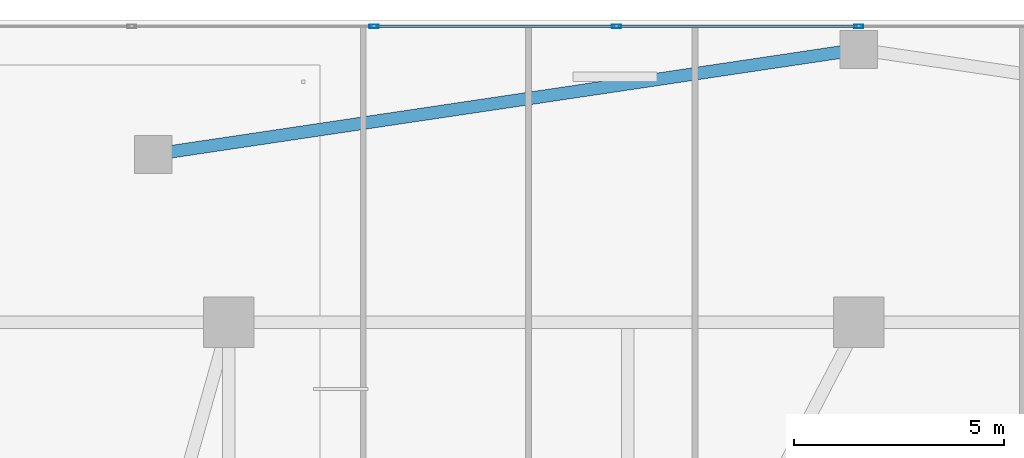
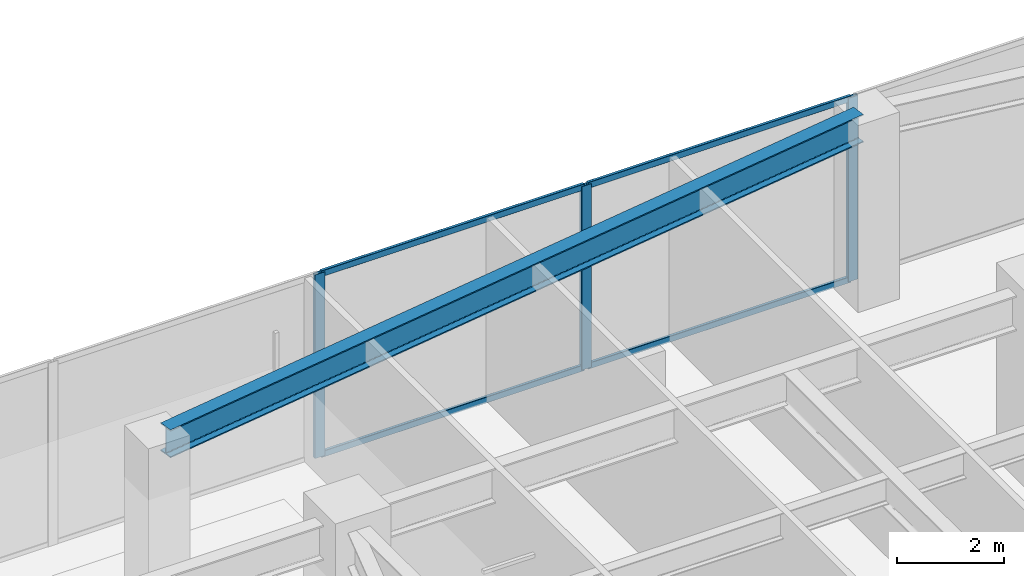
# One storey, part 4 of 22: 7 members, 1 beam, 1 element without a shape of its own.
"""IFC4 building model written with IfcOpenShell, lengths in metres."""

from ifc_helpers import new_model, si_unit, direction, frame, origin, origin_2d, place, context, subcontext, project, spatial, hollow_rectangle, i_section, extrude, material, layer, layer_set, material_profile, profile_set, type_object, element, aggregate, save


model = new_model("IFC4")

# Units and contexts
model_context = context("Model", 3, precision=1e-05, world=origin(), true_north=direction((0.0, 1.0)))
body_context = subcontext(model_context, "Body", "Model", "MODEL_VIEW")
ifc_project = project(units=[si_unit("LENGTHUNIT", "METRE"), si_unit("AREAUNIT", "SQUARE_METRE"), si_unit("VOLUMEUNIT", "CUBIC_METRE"), si_unit("PLANEANGLEUNIT", "RADIAN"), si_unit("MASSUNIT", "GRAM", prefix="KILO")], contexts=[model_context])

# Site, building, storey
site_placement = place(None, origin())
site = spatial("IfcSite", under=ifc_project, at=site_placement, CompositionType="ELEMENT")
building_placement = place(site_placement, origin())
building = spatial("IfcBuilding", under=site, at=building_placement, Name="Tarnavaz Court Tower", CompositionType="ELEMENT")
storey_placement = place(building_placement, frame((0.0, 0.0, 14.39990234375)))
storey = spatial("IfcBuildingStorey", under=building, at=storey_placement, Name="L03", CompositionType="ELEMENT", Elevation=14.39990234375)

# Beam
ifc_material_1 = material(Name="Steel S355", Category="steel")
ifc_material_profile_1 = material_profile(ifc_material_1, i_section(OverallWidth=0.300048828125, OverallDepth=0.639892578125, WebThickness=0.013427734375, FlangeThickness=0.02587890625, FilletRadius=0.027099609375, at=origin_2d()), Name="HEA 650")
ifc_profile_set_1 = profile_set([ifc_material_profile_1], Name="Steel S355")
beam_type = type_object("IfcBeamType", Name="BM-SP-HEA650", PredefinedType="SPANDREL", material=ifc_profile_set_1)
beam_placement = place(storey_placement, frame((-16.602294921875, 26.829345703125, 3.960205078125), z_axis=(0.989108332922, 0.147189353368, 0.0), x_axis=(-0.147189353368, 0.989108332922, 0.0)))
element("IfcBeam", 1, at=beam_placement, inside=storey, type_object=beam_type, Name="L03 Beam PR-POD-N1-POD-N2", PredefinedType="SPANDREL", context=body_context, shape_type="SweptSolid", body=[
    extrude(i_section(OverallWidth=0.300048828125, OverallDepth=0.639892578125, WebThickness=0.013427734375, FlangeThickness=0.02587890625, FilletRadius=0.027099609375, at=origin_2d()), origin(), (0.0, 0.0, 1.0), 16.585205078125),
])

# Curtain wall, members
ifc_material_2 = material(Name="Anodised Aluminium 6063-T6 and Solar Low-E Glazing", Category="aluminium")
ifc_layer = layer(ifc_material_2, 0.18994140625)
ifc_layer_set = layer_set([ifc_layer], Name="Anodised Aluminium 6063-T6 and Solar Low-E Glazing")
curtain_wall_type = type_object("IfcCurtainWallType", Name="CW-SYS-01", PredefinedType="NOTDEFINED", material=ifc_layer_set)
curtain_wall_placement = place(storey_placement, origin())
curtain_wall = element("IfcCurtainWall", 2, at=curtain_wall_placement, inside=storey, type_object=curtain_wall_type, Name="L03 Clinic Podium Curtain Wall 1", PredefinedType="NOTDEFINED")
ifc_material_3 = material(Name="Anodised Aluminium 6063-T6", Category="aluminium")
ifc_material_profile_2 = material_profile(ifc_material_3, hollow_rectangle(XDim=0.0849609375, YDim=0.219970703125, WallThickness=0.006103515625, InnerFilletRadius=0.006103515625, OuterFilletRadius=0.011962890625, at=origin_2d()), Name="ALU RHS 220X85X6")
ifc_profile_set_2 = profile_set([ifc_material_profile_2], Name="Anodised Aluminium 6063-T6")
member_type_1 = type_object("IfcMemberType", Name="CW-MUL-220", PredefinedType="MULLION", material=ifc_profile_set_2)
member_1_placement = place(storey_placement, frame((-11.5400390625, 29.85009765625, 0.0), z_axis=(0.0, 0.0, 1.0), x_axis=(0.0, 1.0, 0.0)))
member_1 = element("IfcMember", 3, at=member_1_placement, type_object=member_type_1, Name="CW mullion 4", PredefinedType="MULLION", context=body_context, shape_type="SweptSolid", body=[
    extrude(hollow_rectangle(XDim=0.0849609375, YDim=0.219970703125, WallThickness=0.006103515625, InnerFilletRadius=0.006103515625, OuterFilletRadius=0.011962890625, at=origin_2d()), origin(), (0.0, 0.0, 1.0), 4.2001953125),
])
member_2_placement = place(storey_placement, frame((-5.77001953125, 29.85009765625, 0.0), z_axis=(0.0, 0.0, 1.0), x_axis=(0.0, 1.0, 0.0)))
member_2 = element("IfcMember", 4, at=member_2_placement, type_object=member_type_1, Name="CW mullion 5", PredefinedType="MULLION", context=body_context, shape_type="SweptSolid", body=[
    extrude(hollow_rectangle(XDim=0.0849609375, YDim=0.219970703125, WallThickness=0.006103515625, InnerFilletRadius=0.006103515625, OuterFilletRadius=0.011962890625, at=origin_2d()), origin(), (0.0, 0.0, 1.0), 4.2001953125),
])
member_3_placement = place(storey_placement, frame((0.0, 29.85009765625, 0.0), z_axis=(0.0, 0.0, 1.0), x_axis=(0.0, 1.0, 0.0)))
member_3 = element("IfcMember", 5, at=member_3_placement, type_object=member_type_1, Name="CW mullion 6", PredefinedType="MULLION", context=body_context, shape_type="SweptSolid", body=[
    extrude(hollow_rectangle(XDim=0.0849609375, YDim=0.219970703125, WallThickness=0.006103515625, InnerFilletRadius=0.006103515625, OuterFilletRadius=0.011962890625, at=origin_2d()), origin(), (0.0, 0.0, 1.0), 4.2001953125),
])
ifc_material_profile_3 = material_profile(ifc_material_3, hollow_rectangle(XDim=0.06494140625, YDim=0.139892578125, WallThickness=0.00390625, InnerFilletRadius=0.00390625, OuterFilletRadius=0.008056640625, at=origin_2d()), Name="ALU RHS 140X65X4")
ifc_profile_set_3 = profile_set([ifc_material_profile_3], Name="Anodised Aluminium 6063-T6")
member_type_2 = type_object("IfcMemberType", Name="CW-TRN-140", PredefinedType="USERDEFINED", material=ifc_profile_set_3)
member_4_placement = place(storey_placement, frame((-11.49755859375, 29.85009765625, 0.03271484375), z_axis=(1.0, 0.0, 0.0), x_axis=(0.0, 1.0, 0.0)))
member_4 = element("IfcMember", 6, at=member_4_placement, type_object=member_type_2, Name="CW transom 4.1", ObjectType="TRANSOM", PredefinedType="USERDEFINED", context=body_context, shape_type="SweptSolid", body=[
    extrude(hollow_rectangle(XDim=0.06494140625, YDim=0.139892578125, WallThickness=0.00390625, InnerFilletRadius=0.00390625, OuterFilletRadius=0.008056640625, at=origin_2d()), origin(), (0.0, 0.0, 1.0), 5.68505859375),
])
member_5_placement = place(storey_placement, frame((-11.49755859375, 29.85009765625, 4.16748046875), z_axis=(1.0, 0.0, 0.0), x_axis=(0.0, 1.0, 0.0)))
member_5 = element("IfcMember", 7, at=member_5_placement, type_object=member_type_2, Name="CW transom 4.2", ObjectType="TRANSOM", PredefinedType="USERDEFINED", context=body_context, shape_type="SweptSolid", body=[
    extrude(hollow_rectangle(XDim=0.06494140625, YDim=0.139892578125, WallThickness=0.00390625, InnerFilletRadius=0.00390625, OuterFilletRadius=0.008056640625, at=origin_2d()), origin(), (0.0, 0.0, 1.0), 5.68505859375),
])
member_6_placement = place(storey_placement, frame((-5.7275390625, 29.85009765625, 0.03271484375), z_axis=(1.0, 0.0, 0.0), x_axis=(0.0, 1.0, 0.0)))
member_6 = element("IfcMember", 8, at=member_6_placement, type_object=member_type_2, Name="CW transom 5.1", ObjectType="TRANSOM", PredefinedType="USERDEFINED", context=body_context, shape_type="SweptSolid", body=[
    extrude(hollow_rectangle(XDim=0.06494140625, YDim=0.139892578125, WallThickness=0.00390625, InnerFilletRadius=0.00390625, OuterFilletRadius=0.008056640625, at=origin_2d()), origin(), (0.0, 0.0, 1.0), 5.68505859375),
])
member_7_placement = place(storey_placement, frame((-5.7275390625, 29.85009765625, 4.16748046875), z_axis=(1.0, 0.0, 0.0), x_axis=(0.0, 1.0, 0.0)))
member_7 = element("IfcMember", 9, at=member_7_placement, type_object=member_type_2, Name="CW transom 5.2", ObjectType="TRANSOM", PredefinedType="USERDEFINED", context=body_context, shape_type="SweptSolid", body=[
    extrude(hollow_rectangle(XDim=0.06494140625, YDim=0.139892578125, WallThickness=0.00390625, InnerFilletRadius=0.00390625, OuterFilletRadius=0.008056640625, at=origin_2d()), origin(), (0.0, 0.0, 1.0), 5.68505859375),
])
aggregate(curtain_wall, [member_1, member_2, member_3, member_4, member_5, member_6, member_7])

save(model, "model.ifc")
